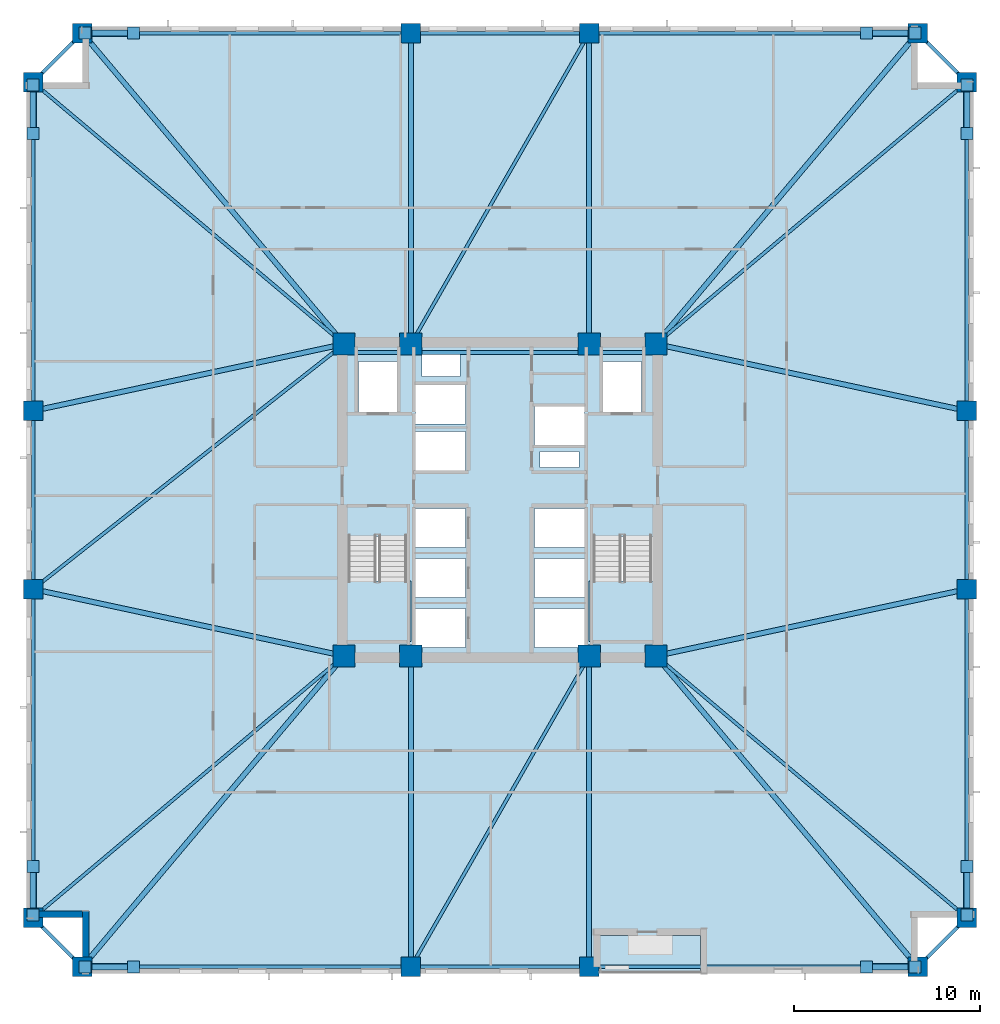
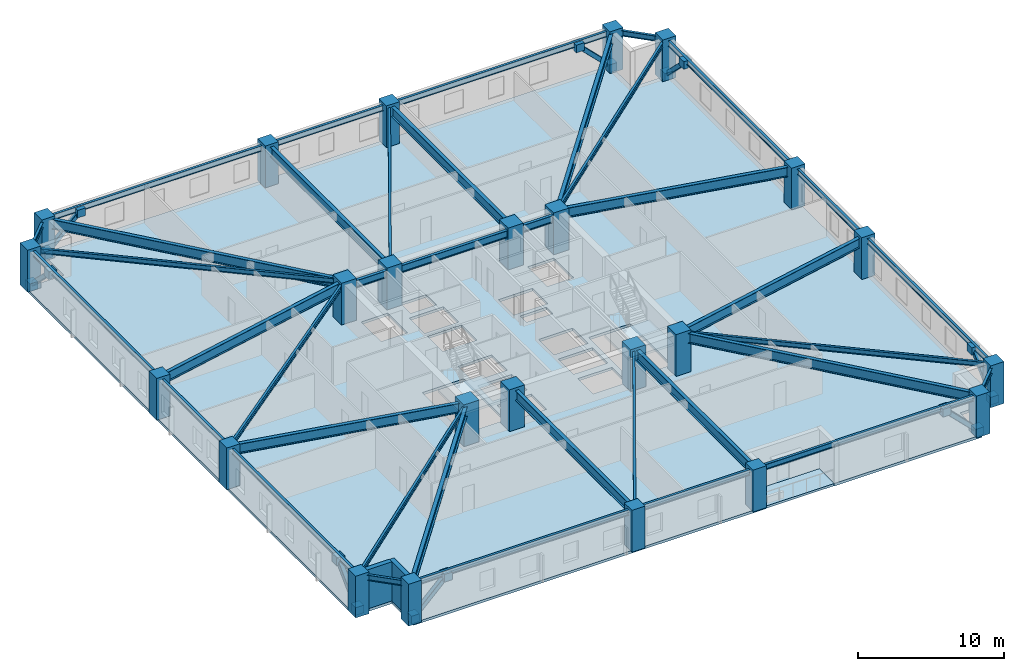
# One storey, part 1 of 11: 38 beams, 24 columns, 16 plates, 8 members, 4 slabs, 2 walls, 2 elements without a shape of their own.
"""IFC4 building model written with IfcOpenShell, lengths in metres."""

from ifc_helpers import new_model, si_unit, direction, frame, frame_2d, origin, origin_2d, place, context, subcontext, project, spatial, polyline, rectangle, hollow_rectangle, i_section, outline, extrude, material, layer, layer_set, material_profile, profile_set, type_object, element, aggregate, save


model = new_model("IFC4")

# Units and contexts
model_context = context("Model", 3, precision=1e-05, world=origin(), true_north=direction((0.0, 1.0)))
body_context = subcontext(model_context, "Body", "Model", "MODEL_VIEW")
ifc_project = project(units=[si_unit("LENGTHUNIT", "METRE"), si_unit("AREAUNIT", "SQUARE_METRE"), si_unit("VOLUMEUNIT", "CUBIC_METRE"), si_unit("PLANEANGLEUNIT", "RADIAN"), si_unit("MASSUNIT", "GRAM", prefix="KILO")], contexts=[model_context])

# Site, building, storey
site_placement = place(None, origin())
site = spatial("IfcSite", under=ifc_project, at=site_placement, CompositionType="ELEMENT")
building_placement = place(site_placement, origin())
building = spatial("IfcBuilding", under=site, at=building_placement, Name="Cairnveth Concourse Tower", CompositionType="ELEMENT")
storey_placement = place(building_placement, frame((0.0, 0.0, 44.5)))
storey = spatial("IfcBuildingStorey", under=building, at=storey_placement, Name="L11", CompositionType="ELEMENT", Elevation=44.5)

# Columns
ifc_material_1 = material(Name="Concrete N80 (80 MPa)", Category="concrete")
ifc_material_profile_1 = material_profile(ifc_material_1, rectangle(XDim=1.199951171875, YDim=1.199951171875, at=origin_2d()), Name="RC-COL-1200x1200")
ifc_profile_set_1 = profile_set([ifc_material_profile_1], Name="Concrete N80 (80 MPa)")
column_type_1 = type_object("IfcColumnType", Name="CORE COLUMN 1200X1200", PredefinedType="COLUMN", material=ifc_profile_set_1)
for number, where, z_axis, x_axis, name in (
    (1, (43.60009765625, 30.60009765625, 0.0), (0.0, 0.0, 1.0), (1.0, 0.0, 0.0), "Column CC1 L11"),
    (2, (47.199951171875, 30.60009765625, 0.0), (0.0, 0.0, 1.0), (1.0, 0.0, 0.0), "Column CC2 L11"),
    (3, (56.800048828125, 30.60009765625, 0.0), (0.0, 0.0, 1.0), (1.0, 0.0, 0.0), "Column CC3 L11"),
    (4, (60.39990234375, 30.60009765625, 0.0), (0.0, 0.0, 1.0), (1.0, 0.0, 0.0), "Column CC4 L11"),
    (5, (43.60009765625, 47.39990234375, 0.0), (0.0, 0.0, 1.0), (1.0, 0.0, 0.0), "Column CC5 L11"),
    (6, (47.199951171875, 47.39990234375, 0.0), (0.0, 0.0, 1.0), (1.0, 0.0, 0.0), "Column CC6 L11"),
    (7, (56.800048828125, 47.39990234375, 0.0), (0.0, 0.0, 1.0), (1.0, 0.0, 0.0), "Column CC7 L11"),
    (8, (60.39990234375, 47.39990234375, 0.0), (0.0, 0.0, 1.0), (1.0, 0.0, 0.0), "Column CC8 L11"),
):
    element("IfcColumn", number, at=place(storey_placement, frame(where, z_axis=z_axis, x_axis=x_axis)), inside=storey, type_object=column_type_1, Name=name, PredefinedType="COLUMN", context=body_context, shape_type="SweptSolid", body=[
        extrude(rectangle(XDim=1.199951171875, YDim=1.199951171875, at=origin_2d()), origin(), (0.0, 0.0, 1.0), 3.5),
    ])
ifc_material_2 = material(Name="Concrete N65 (65 MPa)", Category="concrete")
ifc_material_profile_2 = material_profile(ifc_material_2, rectangle(XDim=1.050048828125, YDim=1.050048828125, at=origin_2d()), Name="RC-COL-1050x1050")
ifc_profile_set_2 = profile_set([ifc_material_profile_2], Name="Concrete N65 (65 MPa)")
column_type_2 = type_object("IfcColumnType", Name="PERIMETER PIER COLUMN 1050X1050", PredefinedType="COLUMN", material=ifc_profile_set_2)
for number, where, z_axis, x_axis, name in (
    (9, (29.5, 13.85009765625, 0.0), (0.0, 0.0, 1.0), (1.0, 0.0, 0.0), "Column P-S1 L11"),
    (10, (47.199951171875, 13.85009765625, 0.0), (0.0, 0.0, 1.0), (1.0, 0.0, 0.0), "Column P-S2 L11"),
    (11, (56.800048828125, 13.85009765625, 0.0), (0.0, 0.0, 1.0), (1.0, 0.0, 0.0), "Column P-S3 L11"),
    (12, (74.5, 13.85009765625, 0.0), (0.0, 0.0, 1.0), (1.0, 0.0, 0.0), "Column P-S4 L11"),
    (13, (77.14990234375, 16.5, 0.0), (0.0, 0.0, 1.0), (0.0, 1.0, 0.0), "Column P-E1 L11"),
    (14, (77.14990234375, 34.199951171875, 0.0), (0.0, 0.0, 1.0), (0.0, 1.0, 0.0), "Column P-E2 L11"),
    (15, (77.14990234375, 43.800048828125, 0.0), (0.0, 0.0, 1.0), (0.0, 1.0, 0.0), "Column P-E3 L11"),
    (16, (77.14990234375, 61.5, 0.0), (0.0, 0.0, 1.0), (0.0, 1.0, 0.0), "Column P-E4 L11"),
    (17, (74.5, 64.14990234375, 0.0), (0.0, 0.0, 1.0), (1.0, 0.0, 0.0), "Column P-N1 L11"),
    (18, (56.800048828125, 64.14990234375, 0.0), (0.0, 0.0, 1.0), (1.0, 0.0, 0.0), "Column P-N2 L11"),
    (19, (47.199951171875, 64.14990234375, 0.0), (0.0, 0.0, 1.0), (1.0, 0.0, 0.0), "Column P-N3 L11"),
    (20, (29.5, 64.14990234375, 0.0), (0.0, 0.0, 1.0), (1.0, 0.0, 0.0), "Column P-N4 L11"),
    (21, (26.85009765625, 61.5, 0.0), (0.0, 0.0, 1.0), (0.0, 1.0, 0.0), "Column P-W1 L11"),
    (22, (26.85009765625, 43.800048828125, 0.0), (0.0, 0.0, 1.0), (0.0, 1.0, 0.0), "Column P-W2 L11"),
    (23, (26.85009765625, 34.199951171875, 0.0), (0.0, 0.0, 1.0), (0.0, 1.0, 0.0), "Column P-W3 L11"),
    (24, (26.85009765625, 16.5, 0.0), (0.0, 0.0, 1.0), (0.0, 1.0, 0.0), "Column P-W4 L11"),
):
    element("IfcColumn", number, at=place(storey_placement, frame(where, z_axis=z_axis, x_axis=x_axis)), inside=storey, type_object=column_type_2, Name=name, PredefinedType="COLUMN", context=body_context, shape_type="SweptSolid", body=[
        extrude(rectangle(XDim=1.050048828125, YDim=1.050048828125, at=origin_2d()), origin(), (0.0, 0.0, 1.0), 3.5),
    ])

# Beams
ifc_material_3 = material(Name="Steel Grade 350", Category="steel")
ifc_material_profile_3 = material_profile(ifc_material_3, i_section(OverallWidth=0.22802734375, OverallDepth=0.60693359375, WebThickness=0.01123046875, FlangeThickness=0.017333984375, FilletRadius=0.013916015625, at=origin_2d()), Name="610UB113")
ifc_profile_set_3 = profile_set([ifc_material_profile_3], Name="Steel Grade 350")
beam_type_1 = type_object("IfcBeamType", Name="CORE TIE BEAM 610UB113", PredefinedType="T_BEAM", material=ifc_profile_set_3)
for number, where, z_axis, x_axis, name in (
    (25, (43.60009765625, 46.949951171875, 2.9765625), (1.0, 0.0, 0.0), (0.0, 1.0, 0.0), "Beam CT-N1 L11"),
    (26, (56.800048828125, 46.949951171875, 2.9765625), (1.0, 0.0, 0.0), (0.0, 1.0, 0.0), "Beam CT-N3 L11"),
):
    element("IfcBeam", number, at=place(storey_placement, frame(where, z_axis=z_axis, x_axis=x_axis)), inside=storey, type_object=beam_type_1, Name=name, PredefinedType="T_BEAM", context=body_context, shape_type="SweptSolid", body=[
        extrude(i_section(OverallWidth=0.22802734375, OverallDepth=0.60693359375, WebThickness=0.01123046875, FlangeThickness=0.017333984375, FilletRadius=0.013916015625, at=origin_2d()), origin(), (0.0, 0.0, 1.0), 3.599853515625),
    ])
beam_1_placement = place(storey_placement, frame((47.199951171875, 46.949951171875, 2.9765625), z_axis=(1.0, 0.0, 0.0), x_axis=(0.0, 1.0, 0.0)))
element("IfcBeam", 27, at=beam_1_placement, inside=storey, type_object=beam_type_1, Name="Beam CT-N2 L11", PredefinedType="T_BEAM", context=body_context, shape_type="SweptSolid", body=[
    extrude(i_section(OverallWidth=0.22802734375, OverallDepth=0.60693359375, WebThickness=0.01123046875, FlangeThickness=0.017333984375, FilletRadius=0.013916015625, at=origin_2d()), origin(), (0.0, 0.0, 1.0), 9.60009765625),
])
ifc_material_profile_4 = material_profile(ifc_material_3, i_section(OverallWidth=0.177978515625, OverallDepth=0.406005859375, WebThickness=0.0078125, FlangeThickness=0.0126953125, FilletRadius=0.010986328125, at=origin_2d()), Name="410UB59.7")
ifc_profile_set_4 = profile_set([ifc_material_profile_4], Name="Steel Grade 350")
beam_type_2 = type_object("IfcBeamType", Name="ZONE 1 FLOOR JOIST 410UB59.7", PredefinedType="JOIST", material=ifc_profile_set_4)
for number, where, z_axis, x_axis, name in (
    (28, (26.85009765625, 16.5, 3.076904296875), (0.765027427674, 0.643997697905, 0.0), (-0.643997697905, 0.765027427674, 0.0), "Beam FJ-CSW2 L11"),
    (29, (77.14990234375, 16.5, 3.076904296875), (-0.765027427674, 0.643997697905, 0.0), (-0.643997697905, -0.765027427674, 0.0), "Beam FJ-CSE2 L11"),
    (30, (77.14990234375, 61.5, 3.076904296875), (-0.765027427674, -0.643997697905, 0.0), (0.643997697905, -0.765027427674, 0.0), "Beam FJ-CNE2 L11"),
    (31, (26.85009765625, 61.5, 3.076904296875), (0.765027427674, -0.643997697905, 0.0), (0.643997697905, 0.765027427674, 0.0), "Beam FJ-CNW2 L11"),
):
    element("IfcBeam", number, at=place(storey_placement, frame(where, z_axis=z_axis, x_axis=x_axis)), inside=storey, type_object=beam_type_2, Name=name, PredefinedType="JOIST", context=body_context, shape_type="SweptSolid", body=[
        extrude(i_section(OverallWidth=0.177978515625, OverallDepth=0.406005859375, WebThickness=0.0078125, FlangeThickness=0.0126953125, FilletRadius=0.010986328125, at=origin_2d()), origin(), (0.0, 0.0, 1.0), 21.89453125),
    ])
for number, where, z_axis, x_axis, name in (
    (32, (47.199951171875, 13.85009765625, 3.076904296875), (0.497257970706, 0.86760273776, 0.0), (-0.86760273776, 0.497257970706, 0.0), "Beam FJ-S-M1 L11"),
    (33, (47.199951171875, 47.39990234375, 3.076904296875), (0.497257970706, 0.86760273776, 0.0), (-0.86760273776, 0.497257970706, 0.0), "Beam FJ-N-M1 L11"),
):
    element("IfcBeam", number, at=place(storey_placement, frame(where, z_axis=z_axis, x_axis=x_axis)), inside=storey, type_object=beam_type_2, Name=name, PredefinedType="JOIST", context=body_context, shape_type="SweptSolid", body=[
        extrude(i_section(OverallWidth=0.177978515625, OverallDepth=0.406005859375, WebThickness=0.0078125, FlangeThickness=0.0126953125, FilletRadius=0.010986328125, at=origin_2d()), origin(), (0.0, 0.0, 1.0), 19.30615234375),
    ])
beam_2_placement = place(storey_placement, frame((26.85009765625, 34.199951171875, 3.076904296875), z_axis=(0.785423705995, 0.618958481694, 0.0), x_axis=(-0.618958481694, 0.785423705995, 0.0)))
element("IfcBeam", 34, at=beam_2_placement, inside=storey, type_object=beam_type_2, Name="Beam FJ-W-M1 L11", PredefinedType="JOIST", context=body_context, shape_type="SweptSolid", body=[
    extrude(i_section(OverallWidth=0.177978515625, OverallDepth=0.406005859375, WebThickness=0.0078125, FlangeThickness=0.0126953125, FilletRadius=0.010986328125, at=origin_2d()), origin(), (0.0, 0.0, 1.0), 21.326171875),
])

# Members
ifc_material_4 = material(Name="Steel C350L0 (350 MPa)", Category="steel")
ifc_material_profile_5 = material_profile(ifc_material_4, hollow_rectangle(XDim=0.35009765625, YDim=0.35009765625, WallThickness=0.01611328125, InnerFilletRadius=0.01611328125, OuterFilletRadius=0.031982421875, at=origin_2d()), Name="350x350x16.0SHS")
ifc_profile_set_5 = profile_set([ifc_material_profile_5], Name="Steel C350L0 (350 MPa)")
member_type = type_object("IfcMemberType", Name="ZONE 1 PIER BRACE 350X350X16SHS", PredefinedType="BRACE", material=ifc_profile_set_5)
for number, where, z_axis, x_axis, name in (
    (35, (29.64990234375, 13.85009765625, 0.25), (0.709834195787, 0.0, 0.704368805735), (0.0, 1.0, 0.0), "Structural Brace PB-S1 L11"),
    (36, (74.35009765625, 13.85009765625, 0.25), (-0.709834195787, 0.0, 0.704368805735), (0.0, -1.0, 0.0), "Structural Brace PB-S2 L11"),
    (37, (29.64990234375, 64.14990234375, 0.25), (0.709834195787, 0.0, 0.704368805735), (0.0, 1.0, 0.0), "Structural Brace PB-N1 L11"),
    (38, (74.35009765625, 64.14990234375, 0.25), (-0.709834195787, 0.0, 0.704368805735), (0.0, -1.0, 0.0), "Structural Brace PB-N2 L11"),
    (39, (26.85009765625, 16.64990234375, 0.25), (0.0, 0.709834195787, 0.704368805735), (-1.0, 0.0, 0.0), "Structural Brace PB-W1 L11"),
    (40, (26.85009765625, 61.35009765625, 0.25), (0.0, -0.709834195787, 0.704368805735), (1.0, 0.0, 0.0), "Structural Brace PB-W2 L11"),
    (41, (77.14990234375, 16.64990234375, 0.25), (0.0, 0.709834195787, 0.704368805735), (-1.0, 0.0, 0.0), "Structural Brace PB-E1 L11"),
    (42, (77.14990234375, 61.35009765625, 0.25), (0.0, -0.709834195787, 0.704368805735), (1.0, 0.0, 0.0), "Structural Brace PB-E2 L11"),
):
    element("IfcMember", number, at=place(storey_placement, frame(where, z_axis=z_axis, x_axis=x_axis)), inside=storey, type_object=member_type, Name=name, PredefinedType="BRACE", context=body_context, shape_type="SweptSolid", body=[
        extrude(hollow_rectangle(XDim=0.35009765625, YDim=0.35009765625, WallThickness=0.01611328125, InnerFilletRadius=0.01611328125, OuterFilletRadius=0.031982421875, at=origin_2d()), origin(), (0.0, 0.0, 1.0), 3.6630859375),
    ])

# Beams
ifc_material_profile_6 = material_profile(ifc_material_3, i_section(OverallWidth=0.27490234375, OverallDepth=0.81591796875, WebThickness=0.011962890625, FlangeThickness=0.028076171875, at=origin_2d()), Name="800WB192")
ifc_profile_set_6 = profile_set([ifc_material_profile_6], Name="Steel Grade 350")
beam_type_3 = type_object("IfcBeamType", Name="ZONE 1 RADIAL GIRDER 800WB192", PredefinedType="BEAM", material=ifc_profile_set_6)
for number, where, z_axis, x_axis, name in (
    (43, (47.199951171875, 13.85009765625, 2.8720703125), (0.0, 1.0, 0.0), (-1.0, 0.0, 0.0), "Beam RG-S1 L11"),
    (44, (56.800048828125, 13.85009765625, 2.8720703125), (0.0, 1.0, 0.0), (-1.0, 0.0, 0.0), "Beam RG-S2 L11"),
    (45, (47.199951171875, 47.39990234375, 2.8720703125), (0.0, 1.0, 0.0), (-1.0, 0.0, 0.0), "Beam RG-N1 L11"),
    (46, (56.800048828125, 47.39990234375, 2.8720703125), (0.0, 1.0, 0.0), (-1.0, 0.0, 0.0), "Beam RG-N2 L11"),
):
    element("IfcBeam", number, at=place(storey_placement, frame(where, z_axis=z_axis, x_axis=x_axis)), inside=storey, type_object=beam_type_3, Name=name, PredefinedType="BEAM", context=body_context, shape_type="SweptSolid", body=[
        extrude(i_section(OverallWidth=0.27490234375, OverallDepth=0.81591796875, WebThickness=0.011962890625, FlangeThickness=0.028076171875, at=origin_2d()), origin(), (0.0, 0.0, 1.0), 16.75),
    ])
for number, where, z_axis, x_axis, name in (
    (47, (26.85009765625, 34.199951171875, 2.8720703125), (0.977675861524, -0.210118799239, 0.0), (0.210118799239, 0.977675861524, 0.0), "Beam RG-W1 L11"),
    (48, (26.85009765625, 43.800048828125, 2.8720703125), (0.977675861524, 0.210118799239, 0.0), (-0.210118799239, 0.977675861524, 0.0), "Beam RG-W2 L11"),
    (49, (60.39990234375, 30.60009765625, 2.8720703125), (0.977675861524, 0.210118799239, 0.0), (-0.210118799239, 0.977675861524, 0.0), "Beam RG-E1 L11"),
    (50, (60.39990234375, 47.39990234375, 2.8720703125), (0.977675861524, -0.210118799239, 0.0), (0.210118799239, 0.977675861524, 0.0), "Beam RG-E2 L11"),
):
    element("IfcBeam", number, at=place(storey_placement, frame(where, z_axis=z_axis, x_axis=x_axis)), inside=storey, type_object=beam_type_3, Name=name, PredefinedType="BEAM", context=body_context, shape_type="SweptSolid", body=[
        extrude(i_section(OverallWidth=0.27490234375, OverallDepth=0.81591796875, WebThickness=0.011962890625, FlangeThickness=0.028076171875, at=origin_2d()), origin(), (0.0, 0.0, 1.0), 17.132568359375),
    ])
for number, where, z_axis, x_axis, name in (
    (51, (29.5, 13.85009765625, 2.8720703125), (0.643997697905, 0.765027427674, 0.0), (-0.765027427674, 0.643997697905, 0.0), "Beam RG-CSW L11"),
    (52, (74.5, 13.85009765625, 2.8720703125), (-0.643997697905, 0.765027427674, 0.0), (-0.765027427674, -0.643997697905, 0.0), "Beam RG-CSE L11"),
    (53, (74.5, 64.14990234375, 2.8720703125), (-0.643997697905, -0.765027427674, 0.0), (0.765027427674, -0.643997697905, 0.0), "Beam RG-CNE L11"),
    (54, (29.5, 64.14990234375, 2.8720703125), (0.643997697905, -0.765027427674, 0.0), (0.765027427674, 0.643997697905, 0.0), "Beam RG-CNW L11"),
):
    element("IfcBeam", number, at=place(storey_placement, frame(where, z_axis=z_axis, x_axis=x_axis)), inside=storey, type_object=beam_type_3, Name=name, PredefinedType="BEAM", context=body_context, shape_type="SweptSolid", body=[
        extrude(i_section(OverallWidth=0.27490234375, OverallDepth=0.81591796875, WebThickness=0.011962890625, FlangeThickness=0.028076171875, at=origin_2d()), origin(), (0.0, 0.0, 1.0), 21.89453125),
    ])
ifc_material_profile_7 = material_profile(ifc_material_3, i_section(OverallWidth=0.19091796875, OverallDepth=0.4599609375, WebThickness=0.010009765625, FlangeThickness=0.01611328125, FilletRadius=0.010986328125, at=origin_2d()), Name="460UB82.1")
ifc_profile_set_7 = profile_set([ifc_material_profile_7], Name="Steel Grade 350")
beam_type_4 = type_object("IfcBeamType", Name="ZONE 1 SPANDREL BEAM 460UB82.1", PredefinedType="SPANDREL", material=ifc_profile_set_7)
beam_3_placement = place(storey_placement, frame((29.5, 13.85009765625, 3.050048828125), z_axis=(1.0, 0.0, 0.0), x_axis=(0.0, 1.0, 0.0)))
element("IfcBeam", 55, at=beam_3_placement, inside=storey, type_object=beam_type_4, Name="Beam SP-S1 L11", PredefinedType="SPANDREL", context=body_context, shape_type="SweptSolid", body=[
    extrude(i_section(OverallWidth=0.19091796875, OverallDepth=0.4599609375, WebThickness=0.010009765625, FlangeThickness=0.01611328125, FilletRadius=0.010986328125, at=origin_2d()), origin(), (0.0, 0.0, 1.0), 17.699951171875),
])
beam_4_placement = place(storey_placement, frame((47.199951171875, 13.85009765625, 3.050048828125), z_axis=(1.0, 0.0, 0.0), x_axis=(0.0, 1.0, 0.0)))
element("IfcBeam", 56, at=beam_4_placement, inside=storey, type_object=beam_type_4, Name="Beam SP-S2 L11", PredefinedType="SPANDREL", context=body_context, shape_type="SweptSolid", body=[
    extrude(i_section(OverallWidth=0.19091796875, OverallDepth=0.4599609375, WebThickness=0.010009765625, FlangeThickness=0.01611328125, FilletRadius=0.010986328125, at=origin_2d()), origin(), (0.0, 0.0, 1.0), 9.60009765625),
])
for number, where, z_axis, x_axis, name in (
    (57, (56.800048828125, 13.85009765625, 3.050048828125), (1.0, 0.0, 0.0), (0.0, 1.0, 0.0), "Beam SP-S3 L11"),
    (58, (29.5, 64.14990234375, 3.050048828125), (1.0, 0.0, 0.0), (0.0, 1.0, 0.0), "Beam SP-N1 L11"),
):
    element("IfcBeam", number, at=place(storey_placement, frame(where, z_axis=z_axis, x_axis=x_axis)), inside=storey, type_object=beam_type_4, Name=name, PredefinedType="SPANDREL", context=body_context, shape_type="SweptSolid", body=[
        extrude(i_section(OverallWidth=0.19091796875, OverallDepth=0.4599609375, WebThickness=0.010009765625, FlangeThickness=0.01611328125, FilletRadius=0.010986328125, at=origin_2d()), origin(), (0.0, 0.0, 1.0), 17.699951171875),
    ])
beam_5_placement = place(storey_placement, frame((47.199951171875, 64.14990234375, 3.050048828125), z_axis=(1.0, 0.0, 0.0), x_axis=(0.0, 1.0, 0.0)))
element("IfcBeam", 59, at=beam_5_placement, inside=storey, type_object=beam_type_4, Name="Beam SP-N2 L11", PredefinedType="SPANDREL", context=body_context, shape_type="SweptSolid", body=[
    extrude(i_section(OverallWidth=0.19091796875, OverallDepth=0.4599609375, WebThickness=0.010009765625, FlangeThickness=0.01611328125, FilletRadius=0.010986328125, at=origin_2d()), origin(), (0.0, 0.0, 1.0), 9.60009765625),
])
for number, where, z_axis, x_axis, name in (
    (60, (56.800048828125, 64.14990234375, 3.050048828125), (1.0, 0.0, 0.0), (0.0, 1.0, 0.0), "Beam SP-N3 L11"),
    (61, (26.85009765625, 16.5, 3.050048828125), (0.0, 1.0, 0.0), (-1.0, 0.0, 0.0), "Beam SP-W1 L11"),
):
    element("IfcBeam", number, at=place(storey_placement, frame(where, z_axis=z_axis, x_axis=x_axis)), inside=storey, type_object=beam_type_4, Name=name, PredefinedType="SPANDREL", context=body_context, shape_type="SweptSolid", body=[
        extrude(i_section(OverallWidth=0.19091796875, OverallDepth=0.4599609375, WebThickness=0.010009765625, FlangeThickness=0.01611328125, FilletRadius=0.010986328125, at=origin_2d()), origin(), (0.0, 0.0, 1.0), 17.699951171875),
    ])
beam_6_placement = place(storey_placement, frame((26.85009765625, 34.199951171875, 3.050048828125), z_axis=(0.0, 1.0, 0.0), x_axis=(-1.0, 0.0, 0.0)))
element("IfcBeam", 62, at=beam_6_placement, inside=storey, type_object=beam_type_4, Name="Beam SP-W2 L11", PredefinedType="SPANDREL", context=body_context, shape_type="SweptSolid", body=[
    extrude(i_section(OverallWidth=0.19091796875, OverallDepth=0.4599609375, WebThickness=0.010009765625, FlangeThickness=0.01611328125, FilletRadius=0.010986328125, at=origin_2d()), origin(), (0.0, 0.0, 1.0), 9.60009765625),
])
for number, where, z_axis, x_axis, name in (
    (63, (26.85009765625, 43.800048828125, 3.050048828125), (0.0, 1.0, 0.0), (-1.0, 0.0, 0.0), "Beam SP-W3 L11"),
    (64, (77.14990234375, 16.5, 3.050048828125), (0.0, 1.0, 0.0), (-1.0, 0.0, 0.0), "Beam SP-E1 L11"),
):
    element("IfcBeam", number, at=place(storey_placement, frame(where, z_axis=z_axis, x_axis=x_axis)), inside=storey, type_object=beam_type_4, Name=name, PredefinedType="SPANDREL", context=body_context, shape_type="SweptSolid", body=[
        extrude(i_section(OverallWidth=0.19091796875, OverallDepth=0.4599609375, WebThickness=0.010009765625, FlangeThickness=0.01611328125, FilletRadius=0.010986328125, at=origin_2d()), origin(), (0.0, 0.0, 1.0), 17.699951171875),
    ])
beam_7_placement = place(storey_placement, frame((77.14990234375, 34.199951171875, 3.050048828125), z_axis=(0.0, 1.0, 0.0), x_axis=(-1.0, 0.0, 0.0)))
element("IfcBeam", 65, at=beam_7_placement, inside=storey, type_object=beam_type_4, Name="Beam SP-E2 L11", PredefinedType="SPANDREL", context=body_context, shape_type="SweptSolid", body=[
    extrude(i_section(OverallWidth=0.19091796875, OverallDepth=0.4599609375, WebThickness=0.010009765625, FlangeThickness=0.01611328125, FilletRadius=0.010986328125, at=origin_2d()), origin(), (0.0, 0.0, 1.0), 9.60009765625),
])
beam_8_placement = place(storey_placement, frame((77.14990234375, 43.800048828125, 3.050048828125), z_axis=(0.0, 1.0, 0.0), x_axis=(-1.0, 0.0, 0.0)))
element("IfcBeam", 66, at=beam_8_placement, inside=storey, type_object=beam_type_4, Name="Beam SP-E3 L11", PredefinedType="SPANDREL", context=body_context, shape_type="SweptSolid", body=[
    extrude(i_section(OverallWidth=0.19091796875, OverallDepth=0.4599609375, WebThickness=0.010009765625, FlangeThickness=0.01611328125, FilletRadius=0.010986328125, at=origin_2d()), origin(), (0.0, 0.0, 1.0), 17.699951171875),
])
for number, where, z_axis, x_axis, name in (
    (67, (26.85009765625, 16.5, 3.050048828125), (0.707106781187, -0.707106781187, 0.0), (0.707106781187, 0.707106781187, 0.0), "Beam SP-SW L11"),
    (68, (74.5, 13.85009765625, 3.050048828125), (0.707106781187, 0.707106781187, 0.0), (-0.707106781187, 0.707106781187, 0.0), "Beam SP-SE L11"),
    (69, (74.5, 64.14990234375, 3.050048828125), (0.707106781187, -0.707106781187, 0.0), (0.707106781187, 0.707106781187, 0.0), "Beam SP-NE L11"),
    (70, (26.85009765625, 61.5, 3.050048828125), (0.707106781187, 0.707106781187, 0.0), (-0.707106781187, 0.707106781187, 0.0), "Beam SP-NW L11"),
):
    element("IfcBeam", number, at=place(storey_placement, frame(where, z_axis=z_axis, x_axis=x_axis)), inside=storey, type_object=beam_type_4, Name=name, PredefinedType="SPANDREL", context=body_context, shape_type="SweptSolid", body=[
        extrude(i_section(OverallWidth=0.19091796875, OverallDepth=0.4599609375, WebThickness=0.010009765625, FlangeThickness=0.01611328125, FilletRadius=0.010986328125, at=origin_2d()), origin(), (0.0, 0.0, 1.0), 3.74755859375),
    ])

# Slab
ifc_material_5 = material(Name="Concrete N50 (50 MPa)", Category="concrete")
ifc_layer_1 = layer(ifc_material_5, 0.219970703125)
ifc_layer_set_1 = layer_set([ifc_layer_1], Name="Concrete N50 (50 MPa)")
slab_type_1 = type_object("IfcSlabType", Name="LOWER TOWER COMPOSITE SLAB 220", PredefinedType="FLOOR", material=ifc_layer_set_1)
slab_1_placement = place(storey_placement, frame((0.0, 0.0, -0.219970703125)))
element("IfcSlab", 71, at=slab_1_placement, inside=storey, type_object=slab_type_1, Name="Tower Floor Slab L11", PredefinedType="FLOOR", context=body_context, shape_type="SweptSolid", body=[
    extrude(outline(polyline([(57.39990234375, 13.5), (57.39990234375, 15.550048828125), (62.800048828125, 15.550048828125), (62.800048828125, 13.5), (74.5, 13.5), (74.5, 16.5), (77.5, 16.5), (77.5, 61.5), (74.5, 61.5), (74.5, 64.5), (29.5, 64.5), (29.5, 61.5), (26.5, 61.5), (26.5, 16.5), (29.5, 16.5), (29.5, 13.5), (57.39990234375, 13.5)]), holes=[polyline([(43.760009765625, 31.360107421875), (47.06005859375, 31.360107421875), (47.06005859375, 37.0400390625), (43.760009765625, 37.0400390625), (43.760009765625, 31.360107421875)]), polyline([(56.93994140625, 31.360107421875), (60.239990234375, 31.360107421875), (60.239990234375, 37.0400390625), (56.93994140625, 37.0400390625), (56.93994140625, 31.360107421875)]), polyline([(44.3701171875, 43.75), (46.469970703125, 43.75), (46.469970703125, 46.449951171875), (44.3701171875, 46.449951171875), (44.3701171875, 43.75)]), polyline([(57.530029296875, 43.75), (59.6298828125, 43.75), (59.6298828125, 46.449951171875), (57.530029296875, 46.449951171875), (57.530029296875, 43.75)]), polyline([(47.449951171875, 31.050048828125), (50.14990234375, 31.050048828125), (50.14990234375, 33.14990234375), (47.449951171875, 33.14990234375), (47.449951171875, 31.050048828125)]), polyline([(47.449951171875, 33.75), (50.14990234375, 33.75), (50.14990234375, 35.85009765625), (47.449951171875, 35.85009765625), (47.449951171875, 33.75)]), polyline([(47.449951171875, 36.449951171875), (50.14990234375, 36.449951171875), (50.14990234375, 38.550048828125), (47.449951171875, 38.550048828125), (47.449951171875, 36.449951171875)]), polyline([(53.85009765625, 31.050048828125), (56.550048828125, 31.050048828125), (56.550048828125, 33.14990234375), (53.85009765625, 33.14990234375), (53.85009765625, 31.050048828125)]), polyline([(53.85009765625, 33.75), (56.550048828125, 33.75), (56.550048828125, 35.85009765625), (53.85009765625, 35.85009765625), (53.85009765625, 33.75)]), polyline([(53.85009765625, 36.449951171875), (56.550048828125, 36.449951171875), (56.550048828125, 38.550048828125), (53.85009765625, 38.550048828125), (53.85009765625, 36.449951171875)]), polyline([(47.449951171875, 40.60009765625), (50.14990234375, 40.60009765625), (50.14990234375, 42.699951171875), (47.449951171875, 42.699951171875), (47.449951171875, 40.60009765625)]), polyline([(47.449951171875, 43.10009765625), (50.14990234375, 43.10009765625), (50.14990234375, 45.199951171875), (47.449951171875, 45.199951171875), (47.449951171875, 43.10009765625)]), polyline([(53.85009765625, 41.949951171875), (56.550048828125, 41.949951171875), (56.550048828125, 44.050048828125), (53.85009765625, 44.050048828125), (53.85009765625, 41.949951171875)]), polyline([(47.800048828125, 45.64990234375), (49.85009765625, 45.64990234375), (49.85009765625, 47.050048828125), (47.800048828125, 47.050048828125), (47.800048828125, 45.64990234375)]), polyline([(54.14990234375, 40.75), (56.25, 40.75), (56.25, 41.6201171875), (54.14990234375, 41.6201171875), (54.14990234375, 40.75)])]), origin(), (0.0, 0.0, 1.0), 0.219970703125),
])

# Plates
ifc_layer_2 = layer(ifc_material_3, 0.031982421875)
ifc_layer_set_2 = layer_set([ifc_layer_2], Name="Steel Grade 350")
plate_type = type_object("IfcPlateType", Name="PERIMETER BRACE GUSSET PLATE 32", PredefinedType="USERDEFINED", material=ifc_layer_set_2)
for number, where, z_axis, x_axis, name in (
    (72, (29.64990234375, 13.85009765625, -0.06982421875), (0.0, 0.0, 1.0), (1.0, 0.0, 0.0), "Structural Node Plate 0157 L11"),
    (73, (32.25, 13.85009765625, 2.51025390625), (0.0, 0.0, 1.0), (1.0, 0.0, 0.0), "Structural Node Plate 0158 L11"),
    (74, (74.35009765625, 13.85009765625, -0.06982421875), (0.0, 0.0, 1.0), (1.0, 0.0, 0.0), "Structural Node Plate 0159 L11"),
    (75, (71.75, 13.85009765625, 2.51025390625), (0.0, 0.0, 1.0), (1.0, 0.0, 0.0), "Structural Node Plate 0160 L11"),
    (76, (29.64990234375, 64.14990234375, -0.06982421875), (0.0, 0.0, 1.0), (1.0, 0.0, 0.0), "Structural Node Plate 0161 L11"),
    (77, (32.25, 64.14990234375, 2.51025390625), (0.0, 0.0, 1.0), (1.0, 0.0, 0.0), "Structural Node Plate 0162 L11"),
    (78, (74.35009765625, 64.14990234375, -0.06982421875), (0.0, 0.0, 1.0), (1.0, 0.0, 0.0), "Structural Node Plate 0163 L11"),
    (79, (71.75, 64.14990234375, 2.51025390625), (0.0, 0.0, 1.0), (1.0, 0.0, 0.0), "Structural Node Plate 0164 L11"),
    (80, (26.85009765625, 16.64990234375, -0.06982421875), (0.0, 0.0, 1.0), (1.0, 0.0, 0.0), "Structural Node Plate 0165 L11"),
    (81, (26.85009765625, 19.25, 2.51025390625), (0.0, 0.0, 1.0), (1.0, 0.0, 0.0), "Structural Node Plate 0166 L11"),
    (82, (26.85009765625, 61.35009765625, -0.06982421875), (0.0, 0.0, 1.0), (1.0, 0.0, 0.0), "Structural Node Plate 0167 L11"),
    (83, (26.85009765625, 58.75, 2.51025390625), (0.0, 0.0, 1.0), (1.0, 0.0, 0.0), "Structural Node Plate 0168 L11"),
    (84, (77.14990234375, 16.64990234375, -0.06982421875), (0.0, 0.0, 1.0), (1.0, 0.0, 0.0), "Structural Node Plate 0169 L11"),
    (85, (77.14990234375, 19.25, 2.51025390625), (0.0, 0.0, 1.0), (1.0, 0.0, 0.0), "Structural Node Plate 0170 L11"),
    (86, (77.14990234375, 61.35009765625, -0.06982421875), (0.0, 0.0, 1.0), (1.0, 0.0, 0.0), "Structural Node Plate 0171 L11"),
    (87, (77.14990234375, 58.75, 2.51025390625), (0.0, 0.0, 1.0), (1.0, 0.0, 0.0), "Structural Node Plate 0172 L11"),
):
    element("IfcPlate", number, at=place(storey_placement, frame(where, z_axis=z_axis, x_axis=x_axis)), inside=storey, type_object=plate_type, Name=name, ObjectType="GUSSET PLATE", PredefinedType="USERDEFINED", context=body_context, shape_type="SweptSolid", body=[
        extrude(rectangle(XDim=0.639892578125, YDim=0.639892578125, at=origin_2d()), origin(), (0.0, 0.0, 1.0), 0.639892578125),
    ])

# Slab
ifc_layer_3 = layer(ifc_material_5, 0.18994140625)
ifc_layer_set_3 = layer_set([ifc_layer_3], Name="Concrete N50 (50 MPa)")
slab_type_2 = type_object("IfcSlabType", Name="SPIRAL OUTDOOR TERRACE SLAB 190", PredefinedType="FLOOR", material=ifc_layer_set_3)
slab_2_placement = place(storey_placement, frame((0.0, 0.0, -0.18994140625)))
element("IfcSlab", 88, at=slab_2_placement, inside=storey, type_object=slab_type_2, Name="Spiral Terrace Slab L11", PredefinedType="FLOOR", context=body_context, shape_type="SweptSolid", body=[
    extrude(outline(polyline([(57.39990234375, 13.5), (62.800048828125, 13.5), (62.800048828125, 15.550048828125), (57.39990234375, 15.550048828125), (57.39990234375, 13.5)])), origin(), (0.0, 0.0, 1.0), 0.18994140625),
])

# Stair, slab
ifc_material_6 = material(Name="Precast concrete N50 (50 MPa)", Category="concrete")
stair_type = type_object("IfcStairType", Name="CORE DOG-LEG FIRE STAIR 1500", PredefinedType="HALF_TURN_STAIR", material=ifc_material_6)
stair_1_placement = place(storey_placement, origin())
stair_1 = element("IfcStair", 89, at=stair_1_placement, inside=storey, type_object=stair_type, Name="L11 Fire-Isolated Stair ST-1", PredefinedType="HALF_TURN_STAIR")
ifc_layer_4 = layer(ifc_material_5, 0.199951171875)
ifc_layer_set_4 = layer_set([ifc_layer_4], Name="Concrete N50 (50 MPa)")
slab_type_3 = type_object("IfcSlabType", Name="STAIR HALF LANDING SLAB 200", PredefinedType="LANDING", material=ifc_layer_set_4)
slab_3_placement = place(storey_placement, frame((0.0, 0.0, 1.550048828125)))
slab_3 = element("IfcSlab", 90, at=slab_3_placement, type_object=slab_type_3, Name="ST-1 landing 1", PredefinedType="LANDING", context=body_context, shape_type="SweptSolid", body=[
    extrude(outline(polyline([(43.6201171875, 34.639892578125), (43.6201171875, 31.3701171875), (47.199951171875, 31.3701171875), (47.199951171875, 34.639892578125), (43.6201171875, 34.639892578125)])), origin(), (0.0, 0.0, 1.0), 0.199951171875),
])
aggregate(stair_1, [slab_3])

stair_2_placement = place(storey_placement, origin())
stair_2 = element("IfcStair", 91, at=stair_2_placement, inside=storey, type_object=stair_type, Name="L11 Fire-Isolated Stair ST-2", PredefinedType="HALF_TURN_STAIR")
slab_4_placement = place(storey_placement, frame((0.0, 0.0, 1.550048828125)))
slab_4 = element("IfcSlab", 92, at=slab_4_placement, type_object=slab_type_3, Name="ST-2 landing 1", PredefinedType="LANDING", context=body_context, shape_type="SweptSolid", body=[
    extrude(outline(polyline([(56.800048828125, 34.639892578125), (56.800048828125, 31.3701171875), (60.3798828125, 31.3701171875), (60.3798828125, 34.639892578125), (56.800048828125, 34.639892578125)])), origin(), (0.0, 0.0, 1.0), 0.199951171875),
])
aggregate(stair_2, [slab_4])

# Walls
ifc_material_7 = material(Name="Hawthorn Red-Ochre Fired Clay Brick Masonry", Category="masonry")
ifc_layer_5 = layer(ifc_material_7, 0.360107421875)
ifc_layer_set_5 = layer_set([ifc_layer_5], Name="Hawthorn Red-Ochre Fired Clay Brick Masonry")
wall_type = type_object("IfcWallType", Name="ZONE 1 BRICK PIER SPANDREL WALL 360", PredefinedType="SOLIDWALL", material=ifc_layer_set_5)
wall_1_placement = place(storey_placement, frame((29.679931640625, 13.5, 0.0), z_axis=(0.0, 0.0, 1.0), x_axis=(0.0, 1.0, 0.0)))
element("IfcWall", 93, at=wall_1_placement, inside=storey, type_object=wall_type, Name="Exterior Wall EW-L11-S01", PredefinedType="SOLIDWALL", context=body_context, shape_type="SweptSolid", body=[
    extrude(rectangle(XDim=3.360107421875, YDim=0.360107421875, at=frame_2d((1.68017578125, 0.0))), origin(), (0.0, 0.0, 1.0), 3.280029296875),
])
wall_2_placement = place(storey_placement, frame((29.52197265625, 16.679931640625, 0.0), z_axis=(0.0, 0.0, 1.0), x_axis=(-1.0, 0.0, 0.0)))
element("IfcWall", 94, at=wall_2_placement, inside=storey, type_object=wall_type, Name="Exterior Wall EW-L11-S02", PredefinedType="SOLIDWALL", context=body_context, shape_type="SweptSolid", body=[
    extrude(rectangle(XDim=2.68408203125, YDim=0.360107421875, at=frame_2d((1.342041015625, 0.0))), origin(), (0.0, 0.0, 1.0), 3.280029296875),
])

save(model, "model.ifc")
